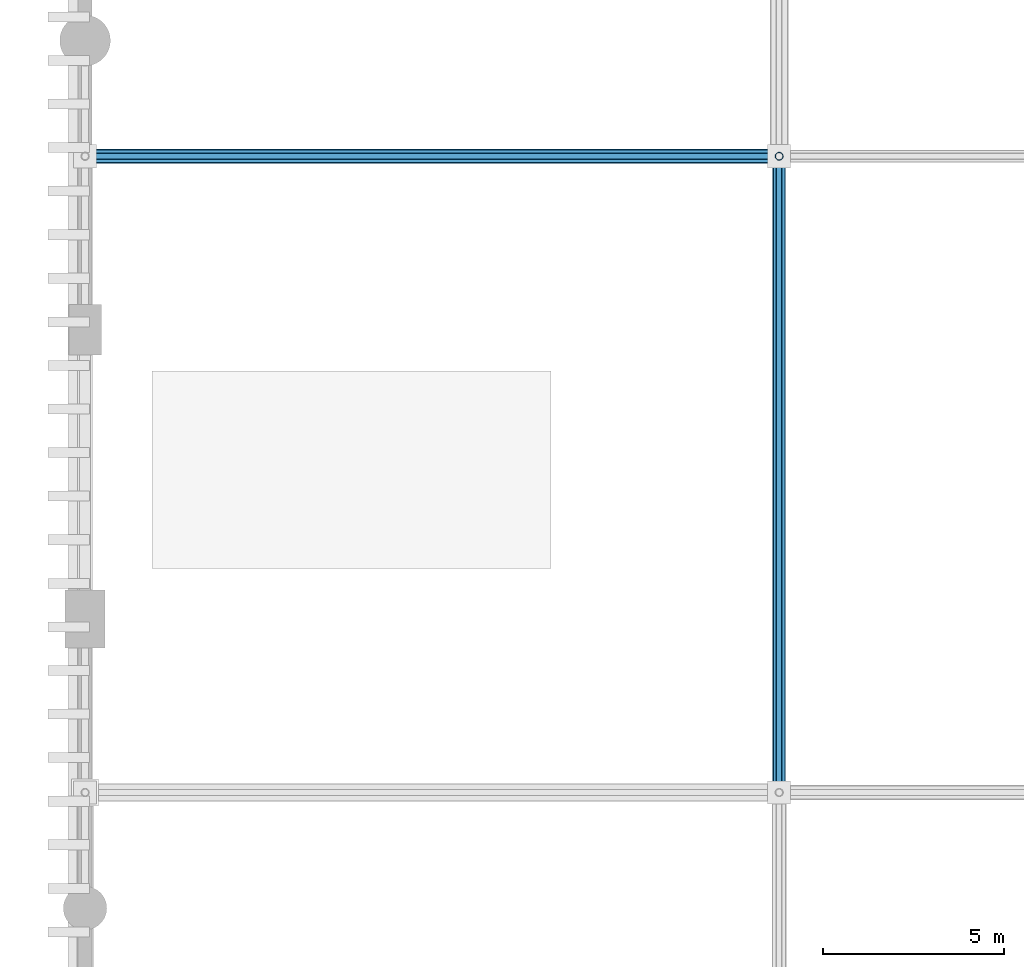
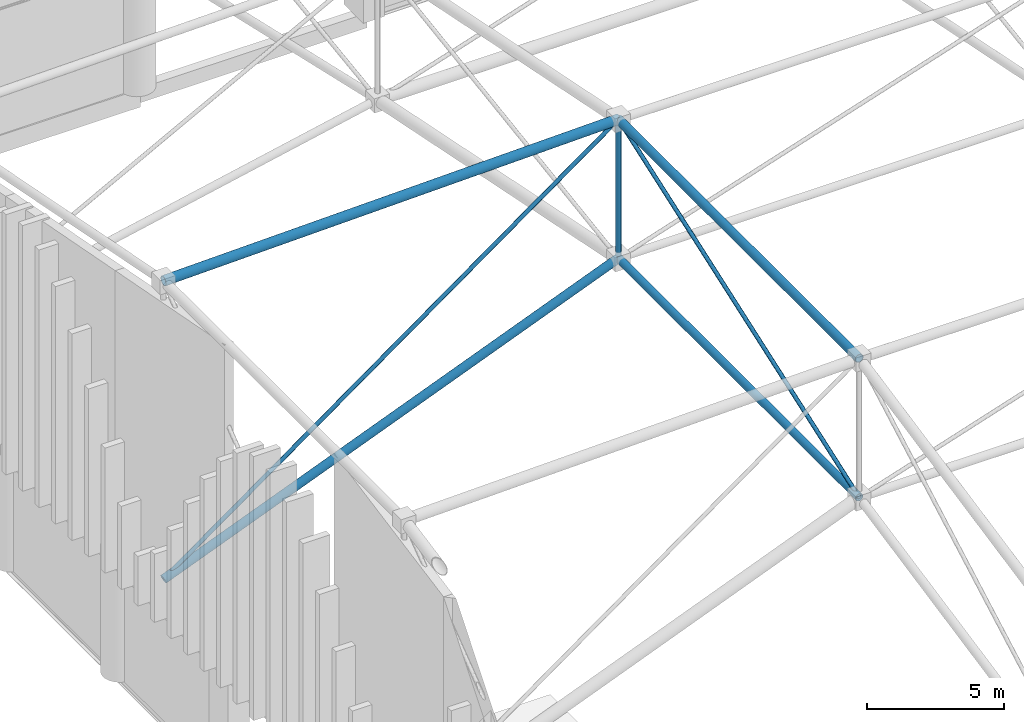
# One storey, part 56 of 193: 7 members.
"""IFC4 building model written with IfcOpenShell, lengths in metres."""

from ifc_helpers import new_model, si_unit, direction, frame, origin, origin_2d, place, context, subcontext, project, spatial, hollow_circle, extrude, material, material_profile, profile_set, type_object, element, save


model = new_model("IFC4")

# Units and contexts
model_context = context("Model", 3, precision=1e-05, world=origin(), true_north=direction((0.0, 1.0)))
body_context = subcontext(model_context, "Body", "Model", "MODEL_VIEW")
ifc_project = project(units=[si_unit("LENGTHUNIT", "METRE"), si_unit("AREAUNIT", "SQUARE_METRE"), si_unit("VOLUMEUNIT", "CUBIC_METRE"), si_unit("PLANEANGLEUNIT", "RADIAN"), si_unit("MASSUNIT", "GRAM", prefix="KILO")], contexts=[model_context])

# Site, building, storey
site_placement = place(None, origin())
site = spatial("IfcSite", under=ifc_project, at=site_placement, CompositionType="ELEMENT")
building_placement = place(site_placement, origin())
building = spatial("IfcBuilding", under=site, at=building_placement, Name="Danafjord Basin Convention Centre", CompositionType="ELEMENT")
storey_placement = place(building_placement, frame((0.0, 0.0, 11.39990234375)))
storey = spatial("IfcBuildingStorey", under=building, at=storey_placement, Name="L02", CompositionType="ELEMENT", Elevation=11.39990234375)

# Members
ifc_material = material(Name="Steel S355", Category="steel")
ifc_material_profile_1 = material_profile(ifc_material, hollow_circle(Radius=0.161865234375, WallThickness=0.01611328125, at=origin_2d()), Name="CHS 323.9x16.0")
ifc_profile_set_1 = profile_set([ifc_material_profile_1], Name="Steel S355")
member_type_1 = type_object("IfcMemberType", Name="MEM-CH-CHS324", PredefinedType="CHORD", material=ifc_profile_set_1)
member_1_placement = place(storey_placement, frame((19.199951171875, 91.199951171875, 13.655517578125), z_axis=(0.0, 1.0, 0.0), x_axis=(-1.0, 0.0, 0.0)))
element("IfcMember", 1, at=member_1_placement, inside=storey, type_object=member_type_1, Name="V1 roof truss transverse bottom chord", PredefinedType="CHORD", context=body_context, shape_type="SweptSolid", body=[
    extrude(hollow_circle(Radius=0.161865234375, WallThickness=0.01611328125, at=origin_2d()), origin(), (0.0, 0.0, 1.0), 17.60009765625),
])
ifc_material_profile_2 = material_profile(ifc_material, hollow_circle(Radius=0.177734375, WallThickness=0.01611328125, at=origin_2d()), Name="CHS 355.6x16.0")
ifc_profile_set_2 = profile_set([ifc_material_profile_2], Name="Steel S355")
member_type_2 = type_object("IfcMemberType", Name="MEM-CH-CHS355", PredefinedType="CHORD", material=ifc_profile_set_2)
member_2_placement = place(storey_placement, frame((0.0, 108.800048828125, 6.050048828125), z_axis=(0.929715641975, 0.0, 0.368278189779), x_axis=(0.0, 1.0, 0.0)))
element("IfcMember", 2, at=member_2_placement, inside=storey, type_object=member_type_2, Name="V1 roof truss longitudinal bottom chord", PredefinedType="CHORD", context=body_context, shape_type="SweptSolid", body=[
    extrude(hollow_circle(Radius=0.177734375, WallThickness=0.01611328125, at=origin_2d()), origin(), (0.0, 0.0, 1.0), 20.6513671875),
])
member_3_placement = place(storey_placement, frame((19.199951171875, 91.199951171875, 19.85546875), z_axis=(0.0, 1.0, 0.0), x_axis=(-1.0, 0.0, 0.0)))
element("IfcMember", 3, at=member_3_placement, inside=storey, type_object=member_type_2, Name="V1 roof truss transverse top chord", PredefinedType="CHORD", context=body_context, shape_type="SweptSolid", body=[
    extrude(hollow_circle(Radius=0.177734375, WallThickness=0.01611328125, at=origin_2d()), origin(), (0.0, 0.0, 1.0), 17.60009765625),
])
ifc_material_profile_3 = material_profile(ifc_material, hollow_circle(Radius=0.203125, WallThickness=0.02001953125, at=origin_2d()), Name="CHS 406.4x20.0")
ifc_profile_set_3 = profile_set([ifc_material_profile_3], Name="Steel S355")
member_type_3 = type_object("IfcMemberType", Name="MEM-CH-CHS406", PredefinedType="CHORD", material=ifc_profile_set_3)
member_4_placement = place(storey_placement, frame((0.0, 108.800048828125, 19.360595703125), z_axis=(0.999667997744, 0.0, 0.025766146147), x_axis=(0.0, 1.0, 0.0)))
element("IfcMember", 4, at=member_4_placement, inside=storey, type_object=member_type_3, Name="V1 roof truss longitudinal top chord", PredefinedType="CHORD", context=body_context, shape_type="SweptSolid", body=[
    extrude(hollow_circle(Radius=0.203125, WallThickness=0.02001953125, at=origin_2d()), origin(), (0.0, 0.0, 1.0), 19.206298828125),
])
ifc_material_profile_4 = material_profile(ifc_material, hollow_circle(Radius=0.109619140625, WallThickness=0.010009765625, at=origin_2d()), Name="CHS 219.1x10.0")
ifc_profile_set_4 = profile_set([ifc_material_profile_4], Name="Steel S355")
member_type_4 = type_object("IfcMemberType", Name="MEM-ST-CHS219", PredefinedType="STRUT", material=ifc_profile_set_4)
member_5_placement = place(storey_placement, frame((19.199951171875, 108.800048828125, 13.655517578125), z_axis=(0.0, 0.0, 1.0), x_axis=(1.0, 0.0, 0.0)))
element("IfcMember", 5, at=member_5_placement, inside=storey, type_object=member_type_4, Name="V1 roof truss vertical strut", PredefinedType="STRUT", context=body_context, shape_type="SweptSolid", body=[
    extrude(hollow_circle(Radius=0.109619140625, WallThickness=0.010009765625, at=origin_2d()), origin(), (0.0, 0.0, 1.0), 6.199951171875),
])
ifc_material_profile_5 = material_profile(ifc_material, hollow_circle(Radius=0.084228515625, WallThickness=0.008056640625, at=origin_2d()), Name="CHS 168.3x8.0")
ifc_profile_set_5 = profile_set([ifc_material_profile_5], Name="Steel S355")
member_type_5 = type_object("IfcMemberType", Name="MEM-WB-CHS168", PredefinedType="MEMBER", material=ifc_profile_set_5)
member_6_placement = place(storey_placement, frame((0.0, 108.800048828125, 6.050048828125), z_axis=(0.811906034959, 0.0, 0.583788138281), x_axis=(0.0, 1.0, 0.0)))
element("IfcMember", 6, at=member_6_placement, inside=storey, type_object=member_type_5, Name="V1 space-frame longitudinal web", PredefinedType="MEMBER", context=body_context, shape_type="SweptSolid", body=[
    extrude(hollow_circle(Radius=0.084228515625, WallThickness=0.008056640625, at=origin_2d()), origin(), (0.0, 0.0, 1.0), 23.64794921875),
])
member_7_placement = place(storey_placement, frame((19.199951171875, 91.199951171875, 13.655517578125), z_axis=(0.0, 0.943189436311, 0.33225545478), x_axis=(-1.0, 0.0, 0.0)))
element("IfcMember", 7, at=member_7_placement, inside=storey, type_object=member_type_5, Name="V1 space-frame transverse web", PredefinedType="MEMBER", context=body_context, shape_type="SweptSolid", body=[
    extrude(hollow_circle(Radius=0.084228515625, WallThickness=0.008056640625, at=origin_2d()), origin(), (0.0, 0.0, 1.0), 18.66015625),
])

save(model, "model.ifc")
